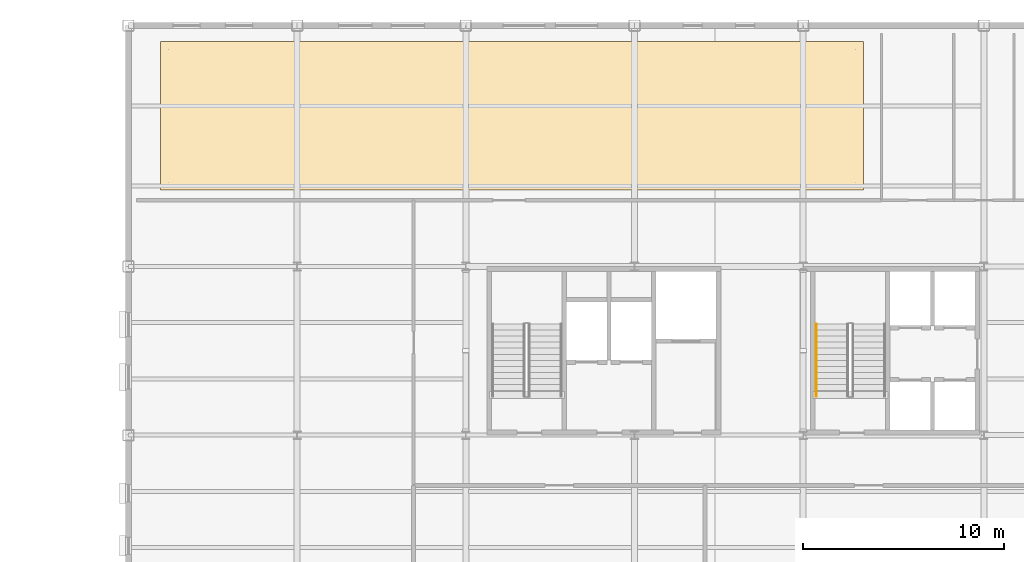
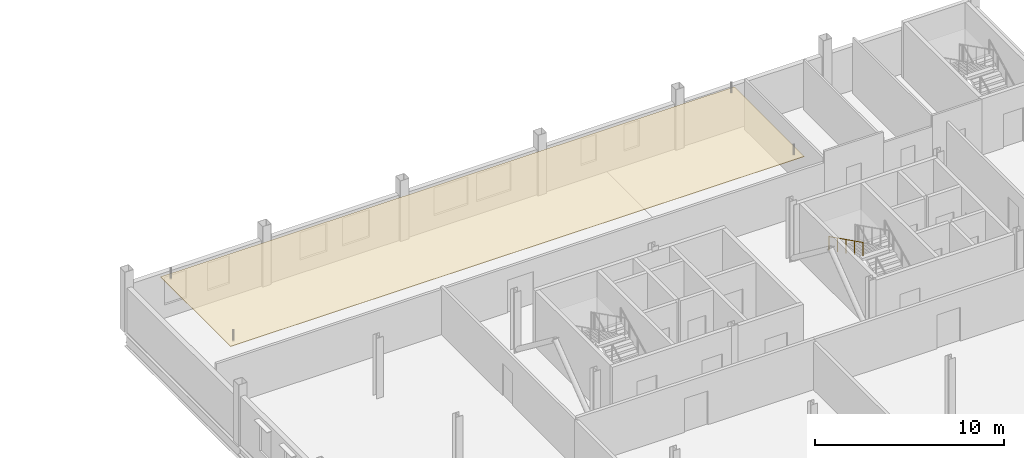
# One storey, part 76 of 77: 1 covering, 1 railing.
"""IFC4 building model written with IfcOpenShell, lengths in metres."""

from ifc_helpers import new_model, si_unit, direction, frame, origin, origin_2d, place, context, subcontext, project, spatial, polyline, circle, outline, extrude, material, layer, layer_set, type_object, element, save


model = new_model("IFC4")

# Units and contexts
model_context = context("Model", 3, precision=1e-05, world=origin(), true_north=direction((0.0, 1.0)))
body_context = subcontext(model_context, "Body", "Model", "MODEL_VIEW")
ifc_project = project(units=[si_unit("LENGTHUNIT", "METRE"), si_unit("AREAUNIT", "SQUARE_METRE"), si_unit("VOLUMEUNIT", "CUBIC_METRE"), si_unit("PLANEANGLEUNIT", "RADIAN"), si_unit("MASSUNIT", "GRAM", prefix="KILO")], contexts=[model_context])

# Site, building, storey
site_placement = place(None, origin())
site = spatial("IfcSite", under=ifc_project, at=site_placement, CompositionType="ELEMENT")
building_placement = place(site_placement, origin())
building = spatial("IfcBuilding", under=site, at=building_placement, Name="Yukiwa Park Conservatory and Herbarium", CompositionType="ELEMENT")
storey_placement = place(building_placement, frame((0.0, 0.0, 13.199951171875)))
storey = spatial("IfcBuildingStorey", under=building, at=storey_placement, Name="L03", CompositionType="ELEMENT", Elevation=13.199951171875)

# Covering
ifc_material_1 = material(Name="Acoustic Mineral Fibre Ceiling")
ifc_layer_1 = layer(ifc_material_1, 0.030029296875)
ifc_layer_set_1 = layer_set([ifc_layer_1], Name="Acoustic Mineral Fibre Ceiling")
covering_type = type_object("IfcCoveringType", Name="COV-CEIL-ACOUSTIC", PredefinedType="CEILING", material=ifc_layer_set_1)
covering_placement = place(storey_placement, frame((0.0, 0.0, 3.25)))
element("IfcCovering", 1, at=covering_placement, inside=storey, type_object=covering_type, Name="L03 acoustic suspended ceiling CLG-L03-LIB", PredefinedType="CEILING", context=body_context, shape_type="SweptSolid", body=[
    extrude(outline(polyline([(118.0, 107.0), (153.0, 107.0), (153.0, 114.39990234375), (118.0, 114.39990234375), (118.0, 107.0)])), origin(), (0.0, 0.0, 1.0), 0.030029296875),
])

# Railing
ifc_material_2 = material(Name="Steel Q235B", Category="steel")
ifc_layer_2 = layer(ifc_material_2, 0.044921875)
ifc_layer_set_2 = layer_set([ifc_layer_2], Name="Steel Q235B")
railing_type = type_object("IfcRailingType", Name="RL-STAIR-RAIL-900", PredefinedType="HANDRAIL", material=ifc_layer_set_2)
railing_placement = place(storey_placement, frame((150.64990234375, 100.330078125, 2.10009765625)))
element("IfcRailing", 2, at=railing_placement, inside=storey, type_object=railing_type, Name="L03 ST-T2 stair handrail 2", PredefinedType="HANDRAIL", context=body_context, shape_type="SweptSolid", body=[
    extrude(circle(Radius=0.02392578125, at=origin_2d()), frame((0.0, 0.0, 0.8759765625), z_axis=(0.0, -0.894427191, 0.4472135955), x_axis=(1.0, 0.0, 0.0)), (0.0, 0.0, 1.0), 4.025146484375),
    extrude(circle(Radius=0.02099609375, at=origin_2d()), origin(), (0.0, 0.0, 1.0), 0.851806640625),
    extrude(circle(Radius=0.02099609375, at=origin_2d()), frame((0.0, -0.89990234375, 0.449951171875)), (0.0, 0.0, 1.0), 0.851806640625),
    extrude(circle(Radius=0.02099609375, at=origin_2d()), frame((0.0, -1.800048828125, 0.89990234375)), (0.0, 0.0, 1.0), 0.851806640625),
    extrude(circle(Radius=0.02099609375, at=origin_2d()), frame((0.0, -2.7001953125, 1.35009765625)), (0.0, 0.0, 1.0), 0.851806640625),
    extrude(circle(Radius=0.02099609375, at=origin_2d()), frame((0.0, -3.60009765625, 1.800048828125)), (0.0, 0.0, 1.0), 0.851806640625),
])

save(model, "model.ifc")
